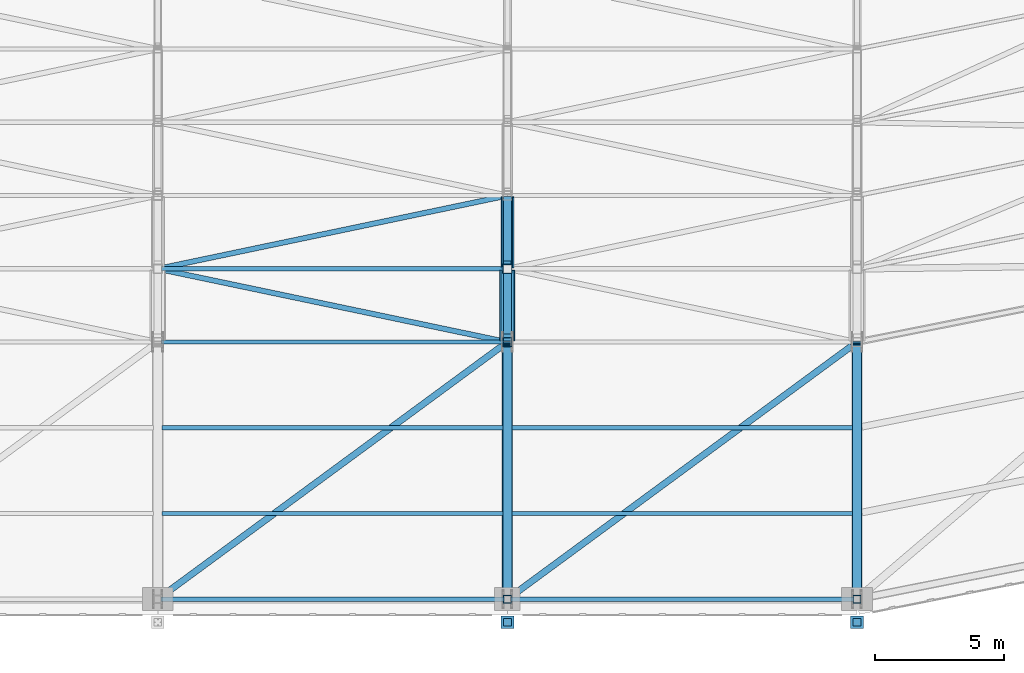
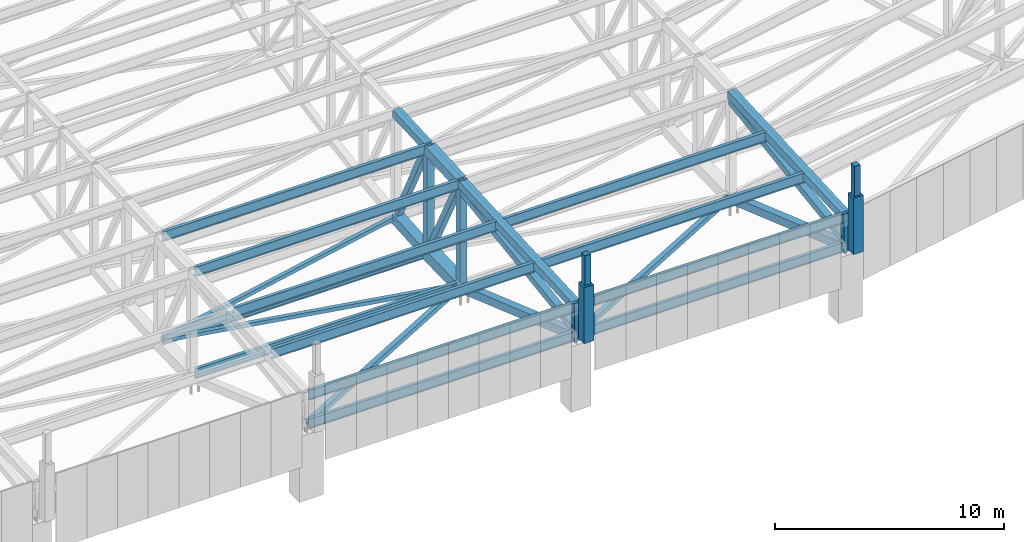
# One storey, part 21 of 278: 24 members, 12 beams.
"""IFC4 building model written with IfcOpenShell, lengths in metres."""

import ifcopenshell
import ifcopenshell.guid

model = None  # the IFC model being written
_history = None  # IfcOwnerHistory: only IFC2X3 demands one
_inside = {}  # id of a spatial element -> (the spatial element, [elements in it])
_under = {}  # id of a project, library or spatial element -> (it, [spatial elements below it])
_declared = {}  # id of a project -> (the project, [libraries it declares])
_typed = {}  # id of a type object -> (the type object, [elements of that type])
_made_of = {}  # id of a material, layer set ... -> (it, [elements and type objects made of it])


def new_model(schema):
    """Start an empty IFC model of exactly this schema.

    Asked for "IFC4X3", IfcOpenShell would pick the latest addendum, in which some entities
    have other attributes; the version numbers below select the first issue.
    IFC2X3 requires an IfcOwnerHistory on every rooted entity: one is made here for all.
    """
    global model, _history
    if schema == "IFC4X3":
        model = ifcopenshell.file(schema_version=(4, 3, 0, 0))
    else:
        model = ifcopenshell.file(schema=schema)
    _inside.clear()
    _under.clear()
    _declared.clear()
    _typed.clear()
    _made_of.clear()
    _history = None
    if model.schema == "IFC2X3":
        org = make("IfcOrganization", Name="unknown")
        user = make(
            "IfcPersonAndOrganization",
            ThePerson=make("IfcPerson", FamilyName="unknown"),
            TheOrganization=org,
        )
        app = make(
            "IfcApplication",
            ApplicationDeveloper=org,
            Version="unknown",
            ApplicationFullName="unknown",
            ApplicationIdentifier="unknown",
        )
        _history = make(
            "IfcOwnerHistory",
            OwningUser=user,
            OwningApplication=app,
            ChangeAction="ADDED",
            CreationDate=0,
        )
    return model


def make(cls, **values):
    """One entity of the class cls with the attributes given. An attribute that is None is left unset."""
    return model.create_entity(
        cls, **{name: value for name, value in values.items() if value is not None}
    )


def rooted(cls, **values):
    """An entity with a GlobalId (a new one), such as an element, a storey or a relation."""
    return make(cls, GlobalId=ifcopenshell.guid.new(), OwnerHistory=_history, **values)


def si_unit(unit_type, name, prefix=None):
    """IfcSIUnit, for example si_unit("LENGTHUNIT", "METRE", prefix="MILLI")."""
    return make("IfcSIUnit", UnitType=unit_type, Prefix=prefix, Name=name)


def assignment(units):
    """IfcUnitAssignment: the units of a project."""
    return None if units is None else make("IfcUnitAssignment", Units=units)


def point(xyz):
    """IfcCartesianPoint."""
    return None if xyz is None else make("IfcCartesianPoint", Coordinates=xyz)


def direction(xyz):
    """IfcDirection."""
    return None if xyz is None else make("IfcDirection", DirectionRatios=xyz)


def frame(location, z_axis=None, x_axis=None):
    """IfcAxis2Placement3D, a coordinate frame: its origin and axes. An axis left out is left unset."""
    return make(
        "IfcAxis2Placement3D",
        Location=point(location),
        Axis=direction(z_axis),
        RefDirection=direction(x_axis),
    )


def frame_2d(location, x_axis=None):
    """IfcAxis2Placement2D, a coordinate frame in the plane: its origin and x axis."""
    return make(
        "IfcAxis2Placement2D", Location=point(location), RefDirection=direction(x_axis)
    )


def origin():
    """The frame at (0, 0, 0) with its axes left unset."""
    return frame((0.0, 0.0, 0.0))


def origin_2d():
    """The frame at (0, 0) in the plane with its x axis left unset."""
    return frame_2d((0.0, 0.0))


def place(relative_to, where):
    """IfcLocalPlacement: puts the frame where relative to a parent placement (None: the world)."""
    return make(
        "IfcLocalPlacement", PlacementRelTo=relative_to, RelativePlacement=where
    )


def context(
    kind, dimensions, precision=None, world=None, true_north=None, identifier=None
):
    """IfcGeometricRepresentationContext, for example the 3D "Model" context."""
    return make(
        "IfcGeometricRepresentationContext",
        ContextIdentifier=identifier,
        ContextType=kind,
        CoordinateSpaceDimension=dimensions,
        Precision=precision,
        WorldCoordinateSystem=world,
        TrueNorth=true_north,
    )


def subcontext(parent, identifier, kind, view, scale=None):
    """IfcGeometricRepresentationSubContext, for example "Body" below "Model"."""
    return make(
        "IfcGeometricRepresentationSubContext",
        ContextIdentifier=identifier,
        ContextType=kind,
        ParentContext=parent,
        TargetScale=scale,
        TargetView=view,
    )


def project(units=None, contexts=None):
    """IfcProject with its units and contexts."""
    return rooted(
        "IfcProject",
        Name="project",
        RepresentationContexts=contexts,
        UnitsInContext=assignment(units),
    )


def spatial(cls, under=None, at=None, **own):
    """A site, building, storey or space (cls), placed at a placement, below another one or the project."""
    s = rooted(cls, ObjectPlacement=at, **own)
    if under is not None:
        _under.setdefault(under.id(), (under, []))[1].append(s)
    return s


def profile(cls, at=None, kind="AREA", **sizes):
    """A parametric profile (cls). Its sizes go by their IFC names, for example OverallWidth=200.0."""
    return make(cls, ProfileType=kind, Position=at, **sizes)


def rectangle(**sizes):
    """IfcRectangleProfileDef."""
    return profile("IfcRectangleProfileDef", **sizes)


def hollow_rectangle(**sizes):
    """IfcRectangleHollowProfileDef."""
    return profile("IfcRectangleHollowProfileDef", **sizes)


def i_section(**sizes):
    """IfcIShapeProfileDef."""
    return profile("IfcIShapeProfileDef", **sizes)


def extrude(swept, where, along, depth):
    """IfcExtrudedAreaSolid: the profile swept, set in the frame where, extruded along a direction by depth."""
    return make(
        "IfcExtrudedAreaSolid",
        SweptArea=swept,
        Position=where,
        ExtrudedDirection=direction(along),
        Depth=depth,
    )


def shape(context_of_items, identifier, shape_type, items):
    """IfcShapeRepresentation: the items that make up one representation, for example the "Body"."""
    return make(
        "IfcShapeRepresentation",
        ContextOfItems=context_of_items,
        RepresentationIdentifier=identifier,
        RepresentationType=shape_type,
        Items=items,
    )


def material(Name=None, Category=None):
    """IfcMaterial."""
    return make("IfcMaterial", Name=Name, Category=Category)


def material_profile(
    of_material, cross_section, Name=None, Category=None, Priority=None
):
    """IfcMaterialProfile: a cross section and its material."""
    return make(
        "IfcMaterialProfile",
        Name=Name,
        Material=of_material,
        Profile=cross_section,
        Priority=Priority,
        Category=Category,
    )


def profile_set(profiles, Name=None, composite=None):
    """IfcMaterialProfileSet."""
    return make(
        "IfcMaterialProfileSet",
        Name=Name,
        MaterialProfiles=profiles,
        CompositeProfile=composite,
    )


def made_of(thing, what):
    """Note that an element or type object is made of a material, layer set ...; save() writes the relation."""
    if what is not None:
        _made_of.setdefault(what.id(), (what, []))[1].append(thing)
    return thing


def type_object(cls, material=None, **own):
    """A type object (cls), such as IfcWallType, which elements share."""
    return made_of(rooted(cls, **own), material)


def element(
    cls,
    number,
    at=None,
    inside=None,
    cuts=None,
    type_object=None,
    material=None,
    context=None,
    identifier="Body",
    shape_type=None,
    held_by="IfcProductDefinitionShape",
    body=None,
    shapes=None,
    **own,
):
    """One element of the class cls, such as IfcWall. Its Tag is "e" and its number.

    at: its placement. inside: the storey or other place that contains it. cuts: it is an
    opening in that element (IfcRelVoidsElement). A single representation is given by context,
    identifier, shape_type and body (its items); several are given by shapes. held_by: the class
    of the entity that holds the representations. save() writes the other relations.
    """
    e = rooted(cls, Tag="e%d" % number, ObjectPlacement=at, **own)
    if body is not None:
        shapes = [shape(context, identifier, shape_type, body)]
    if shapes is not None:
        e.Representation = make(held_by, Representations=shapes)
    if inside is not None:
        _inside.setdefault(inside.id(), (inside, []))[1].append(e)
    if cuts is not None:
        rooted(
            "IfcRelVoidsElement", RelatingBuildingElement=cuts, RelatedOpeningElement=e
        )
    if type_object is not None:
        _typed.setdefault(type_object.id(), (type_object, []))[1].append(e)
    return made_of(e, material)


def aggregate(whole, parts):
    """IfcRelAggregates: a whole, such as a stair, and the parts it consists of."""
    return rooted("IfcRelAggregates", RelatingObject=whole, RelatedObjects=parts)


def save(model, path):
    """Write the relations noted so far, then the file.

    IfcRelAggregates (storeys below a building ...), IfcRelContainedInSpatialStructure (elements
    in a storey), IfcRelDefinesByType, IfcRelAssociatesMaterial and IfcRelDeclares: one each for
    every whole, place, type object, material and project.
    """
    for whole, parts in _under.values():
        aggregate(whole, parts)
    for where, things in _inside.values():
        rooted(
            "IfcRelContainedInSpatialStructure",
            RelatedElements=things,
            RelatingStructure=where,
        )
    for kind, things in _typed.values():
        rooted("IfcRelDefinesByType", RelatedObjects=things, RelatingType=kind)
    for what, things in _made_of.values():
        rooted("IfcRelAssociatesMaterial", RelatedObjects=things, RelatingMaterial=what)
    for by, libraries in _declared.values():
        rooted("IfcRelDeclares", RelatingContext=by, RelatedDefinitions=libraries)
    model.write(path)


model = new_model("IFC4")

# Units and contexts
model_context = context("Model", 3, precision=1e-05, world=origin(), true_north=direction((0.0, 1.0)))
body_context = subcontext(model_context, "Body", "Model", "MODEL_VIEW")
ifc_project = project(units=[si_unit("LENGTHUNIT", "METRE"), si_unit("AREAUNIT", "SQUARE_METRE"), si_unit("VOLUMEUNIT", "CUBIC_METRE"), si_unit("PLANEANGLEUNIT", "RADIAN"), si_unit("MASSUNIT", "GRAM", prefix="KILO")], contexts=[model_context])

# Site, building, storey
site_placement = place(None, origin())
site = spatial("IfcSite", under=ifc_project, at=site_placement, CompositionType="ELEMENT")
building_placement = place(site_placement, origin())
building = spatial("IfcBuilding", under=site, at=building_placement, Name="Ogive Plaza Stadium", CompositionType="ELEMENT")
storey_placement = place(building_placement, frame((0.0, 0.0, 29.0)))
storey = spatial("IfcBuildingStorey", under=building, at=storey_placement, Name="Roof", CompositionType="ELEMENT", Elevation=29.0)

# Members
ifc_material_1 = material(Name="Concrete C45/55 precast", Category="concrete")
ifc_material_profile_1 = material_profile(ifc_material_1, rectangle(XDim=0.5, YDim=0.5, at=origin_2d()), Name="RC 500x500")
ifc_profile_set_1 = profile_set([ifc_material_profile_1], Name="Concrete C45/55 precast")
member_type_1 = type_object("IfcMemberType", Name="Precast pinnacle 500x500", PredefinedType="POST", material=ifc_profile_set_1)
for number, where, z_axis, x_axis, name in (
    (1, (34.0, -103.39990234375, 4.0), (0.0, 0.0, 1.0), (1.0, 0.0, 0.0), "PINNACLE R12"),
    (2, (20.39990234375, -103.39990234375, 4.0), (0.0, 0.0, 1.0), (1.0, 0.0, 0.0), "PINNACLE R13"),
):
    element("IfcMember", number, at=place(storey_placement, frame(where, z_axis=z_axis, x_axis=x_axis)), inside=storey, type_object=member_type_1, Name=name, PredefinedType="POST", context=body_context, shape_type="SweptSolid", body=[
        extrude(rectangle(XDim=0.5, YDim=0.5, at=origin_2d()), origin(), (0.0, 0.0, 1.0), 3.0),
    ])
ifc_material_2 = material(Name="Concrete C45/55 precast", Category="concrete")
ifc_material_profile_2 = material_profile(ifc_material_2, rectangle(XDim=0.300048828125, YDim=0.300048828125, at=origin_2d()), Name="RC 300x300")
ifc_profile_set_2 = profile_set([ifc_material_profile_2], Name="Concrete C45/55 precast")
member_type_2 = type_object("IfcMemberType", Name="Precast spire 300x300", PredefinedType="MEMBER", material=ifc_profile_set_2)
for number, where, z_axis, x_axis, name in (
    (3, (34.0, -103.39990234375, 7.0), (0.0, 0.0, 1.0), (1.0, 0.0, 0.0), "SPIRE R12"),
    (4, (20.39990234375, -103.39990234375, 7.0), (0.0, 0.0, 1.0), (1.0, 0.0, 0.0), "SPIRE R13"),
):
    element("IfcMember", number, at=place(storey_placement, frame(where, z_axis=z_axis, x_axis=x_axis)), inside=storey, type_object=member_type_2, Name=name, PredefinedType="MEMBER", context=body_context, shape_type="SweptSolid", body=[
        extrude(rectangle(XDim=0.300048828125, YDim=0.300048828125, at=origin_2d()), origin(), (0.0, 0.0, 1.0), 1.60009765625),
    ])
ifc_material_3 = material(Name="Steel ASTM A500 Grade C", Category="steel")
ifc_material_profile_3 = material_profile(ifc_material_3, hollow_rectangle(XDim=0.25390625, YDim=0.25390625, WallThickness=0.0087890625, at=origin_2d()), Name="HSS10X10X3/8")
ifc_profile_set_3 = profile_set([ifc_material_profile_3], Name="Steel ASTM A500 Grade C")
member_type_3 = type_object("IfcMemberType", Name="Roof plan brace HSS10X10X3/8", PredefinedType="BRACE", material=ifc_profile_set_3)
for number, where, z_axis, x_axis, name in (
    (5, (33.771240234375, -92.668212890625, 0.362060546875), (-0.789806515967, -0.580738793181, 0.197352784197), (0.592389594991, -0.805651641683, 0.0), "ROOF BRACE B12 11"),
    (6, (20.171142578125, -92.668212890625, 0.362060546875), (-0.789806515967, -0.580738793181, 0.197352784197), (0.592389594991, -0.805651641683, 0.0), "ROOF BRACE B13 11"),
):
    element("IfcMember", number, at=place(storey_placement, frame(where, z_axis=z_axis, x_axis=x_axis)), inside=storey, type_object=member_type_3, Name=name, PredefinedType="BRACE", context=body_context, shape_type="SweptSolid", body=[
        extrude(hollow_rectangle(XDim=0.25390625, YDim=0.25390625, WallThickness=0.0087890625, at=origin_2d()), origin(), (0.0, 0.0, 1.0), 16.672119140625),
    ])
ifc_material_4 = material(Name="Steel ASTM A500 Grade C", Category="steel")
ifc_material_profile_4 = material_profile(ifc_material_4, hollow_rectangle(XDim=0.203125, YDim=0.203125, WallThickness=0.0087890625, at=origin_2d()), Name="HSS8X8X3/8")
ifc_profile_set_4 = profile_set([ifc_material_profile_4], Name="Steel ASTM A500 Grade C")
member_type_4 = type_object("IfcMemberType", Name="Roof plan brace HSS8X8X3/8", PredefinedType="BRACE", material=ifc_profile_set_4)
member_1_placement = place(storey_placement, frame((20.230712890625, -86.83544921875, 0.50927734375), z_axis=(-0.9786892756, -0.205092509512, -0.010215887981), x_axis=(0.205103212524, -0.978740349742, 0.0)))
element("IfcMember", 7, at=member_1_placement, inside=storey, type_object=member_type_4, Name="ROOF BRACE B13 9", PredefinedType="BRACE", context=body_context, shape_type="SweptSolid", body=[
    extrude(hollow_rectangle(XDim=0.203125, YDim=0.203125, WallThickness=0.0087890625, at=origin_2d()), origin(), (0.0, 0.0, 1.0), 13.55029296875),
])
member_2_placement = place(storey_placement, frame((6.96923828125, -89.685546875, 0.3681640625), z_axis=(0.978729937555, -0.205101030564, -0.004612656051), x_axis=(0.205103212524, 0.978740349742, 0.0)))
element("IfcMember", 8, at=member_2_placement, inside=storey, type_object=member_type_4, Name="ROOF BRACE B13 10", PredefinedType="BRACE", context=body_context, shape_type="SweptSolid", body=[
    extrude(hollow_rectangle(XDim=0.203125, YDim=0.203125, WallThickness=0.0087890625, at=origin_2d()), origin(), (0.0, 0.0, 1.0), 13.549560546875),
])
ifc_material_5 = material(Name="Steel ASTM A992 Grade 50", Category="steel")
ifc_material_profile_5 = material_profile(ifc_material_5, i_section(OverallWidth=0.1650390625, OverallDepth=0.524658203125, WebThickness=0.0087890625, FlangeThickness=0.011474609375, at=origin_2d()), Name="W21X44")
ifc_profile_set_5 = profile_set([ifc_material_profile_5], Name="Steel ASTM A992 Grade 50")
member_type_5 = type_object("IfcMemberType", Name="Roof plan strut W21X44", PredefinedType="STRUT", material=ifc_profile_set_5)
member_3_placement = place(storey_placement, frame((33.877685546875, -102.5, 3.703125), z_axis=(-1.0, 0.0, 0.0), x_axis=(0.0, -1.0, 0.0)))
element("IfcMember", 9, at=member_3_placement, inside=storey, type_object=member_type_5, Name="ROOF STRUT B12 11", PredefinedType="STRUT", context=body_context, shape_type="SweptSolid", body=[
    extrude(i_section(OverallWidth=0.1650390625, OverallDepth=0.524658203125, WebThickness=0.0087890625, FlangeThickness=0.011474609375, at=origin_2d()), origin(), (0.0, 0.0, 1.0), 13.355224609375),
])
for number, where, z_axis, x_axis, name in (
    (10, (20.252197265625, -89.64990234375, 0.369140625), (-1.0, 0.0, 0.0), (0.0, -1.0, 0.0), "ROOF STRUT B13 9"),
    (11, (20.252197265625, -92.5, 0.3046875), (-1.0, 0.0, 0.0), (0.0, -1.0, 0.0), "ROOF STRUT B13 10"),
):
    element("IfcMember", number, at=place(storey_placement, frame(where, z_axis=z_axis, x_axis=x_axis)), inside=storey, type_object=member_type_5, Name=name, PredefinedType="STRUT", context=body_context, shape_type="SweptSolid", body=[
        extrude(i_section(OverallWidth=0.1650390625, OverallDepth=0.524658203125, WebThickness=0.0087890625, FlangeThickness=0.011474609375, at=origin_2d()), origin(), (0.0, 0.0, 1.0), 13.304443359375),
    ])
member_4_placement = place(storey_placement, frame((20.277587890625, -102.5, 3.703125), z_axis=(-1.0, 0.0, 0.0), x_axis=(0.0, -1.0, 0.0)))
element("IfcMember", 12, at=member_4_placement, inside=storey, type_object=member_type_5, Name="ROOF STRUT B13 11", PredefinedType="STRUT", context=body_context, shape_type="SweptSolid", body=[
    extrude(i_section(OverallWidth=0.1650390625, OverallDepth=0.524658203125, WebThickness=0.0087890625, FlangeThickness=0.011474609375, at=origin_2d()), origin(), (0.0, 0.0, 1.0), 13.355224609375),
])
ifc_material_6 = material(Name="Steel ASTM A992 Grade 50", Category="steel")
ifc_material_profile_6 = material_profile(ifc_material_6, i_section(OverallWidth=0.1650390625, OverallDepth=0.524658203125, WebThickness=0.0087890625, FlangeThickness=0.011474609375, at=origin_2d()), Name="W21X44")
ifc_profile_set_6 = profile_set([ifc_material_profile_6], Name="Steel ASTM A992 Grade 50")
member_type_6 = type_object("IfcMemberType", Name="Roof purlin W21X44", PredefinedType="PURLIN", material=ifc_profile_set_6)
for number, where, z_axis, x_axis, name in (
    (13, (33.826904296875, -95.833251953125, 5.571044921875), (-1.0, 0.0, 0.0), (0.0, -1.0, 0.0), "ROOF PURLIN B12 11"),
    (14, (33.826904296875, -99.166748046875, 5.404296875), (-1.0, 0.0, 0.0), (0.0, -1.0, 0.0), "ROOF PURLIN B12 12"),
):
    element("IfcMember", number, at=place(storey_placement, frame(where, z_axis=z_axis, x_axis=x_axis)), inside=storey, type_object=member_type_6, Name=name, PredefinedType="PURLIN", context=body_context, shape_type="SweptSolid", body=[
        extrude(i_section(OverallWidth=0.1650390625, OverallDepth=0.524658203125, WebThickness=0.0087890625, FlangeThickness=0.011474609375, at=origin_2d()), origin(), (0.0, 0.0, 1.0), 13.253662109375),
    ])
member_5_placement = place(storey_placement, frame((33.877685546875, -102.5, 5.237548828125), z_axis=(-1.0, 0.0, 0.0), x_axis=(0.0, -1.0, 0.0)))
element("IfcMember", 15, at=member_5_placement, inside=storey, type_object=member_type_6, Name="ROOF PURLIN B12 13", PredefinedType="PURLIN", context=body_context, shape_type="SweptSolid", body=[
    extrude(i_section(OverallWidth=0.1650390625, OverallDepth=0.524658203125, WebThickness=0.0087890625, FlangeThickness=0.011474609375, at=origin_2d()), origin(), (0.0, 0.0, 1.0), 13.355224609375),
])
for number, where, z_axis, x_axis, name in (
    (16, (20.252197265625, -89.64990234375, 5.880126953125), (-1.0, 0.0, 0.0), (0.0, -1.0, 0.0), "ROOF PURLIN B13 9"),
    (17, (20.252197265625, -92.5, 5.737548828125), (-1.0, 0.0, 0.0), (0.0, -1.0, 0.0), "ROOF PURLIN B13 10"),
):
    element("IfcMember", number, at=place(storey_placement, frame(where, z_axis=z_axis, x_axis=x_axis)), inside=storey, type_object=member_type_6, Name=name, PredefinedType="PURLIN", context=body_context, shape_type="SweptSolid", body=[
        extrude(i_section(OverallWidth=0.1650390625, OverallDepth=0.524658203125, WebThickness=0.0087890625, FlangeThickness=0.011474609375, at=origin_2d()), origin(), (0.0, 0.0, 1.0), 13.304443359375),
    ])
for number, where, z_axis, x_axis, name in (
    (18, (20.226806640625, -95.833251953125, 5.571044921875), (-1.0, 0.0, 0.0), (0.0, -1.0, 0.0), "ROOF PURLIN B13 11"),
    (19, (20.226806640625, -99.166748046875, 5.404296875), (-1.0, 0.0, 0.0), (0.0, -1.0, 0.0), "ROOF PURLIN B13 12"),
):
    element("IfcMember", number, at=place(storey_placement, frame(where, z_axis=z_axis, x_axis=x_axis)), inside=storey, type_object=member_type_6, Name=name, PredefinedType="PURLIN", context=body_context, shape_type="SweptSolid", body=[
        extrude(i_section(OverallWidth=0.1650390625, OverallDepth=0.524658203125, WebThickness=0.0087890625, FlangeThickness=0.011474609375, at=origin_2d()), origin(), (0.0, 0.0, 1.0), 13.253662109375),
    ])
member_6_placement = place(storey_placement, frame((20.277587890625, -102.5, 5.237548828125), z_axis=(-1.0, 0.0, 0.0), x_axis=(0.0, -1.0, 0.0)))
element("IfcMember", 20, at=member_6_placement, inside=storey, type_object=member_type_6, Name="ROOF PURLIN B13 13", PredefinedType="PURLIN", context=body_context, shape_type="SweptSolid", body=[
    extrude(i_section(OverallWidth=0.1650390625, OverallDepth=0.524658203125, WebThickness=0.0087890625, FlangeThickness=0.011474609375, at=origin_2d()), origin(), (0.0, 0.0, 1.0), 13.355224609375),
])

# Beams
ifc_material_7 = material(Name="Steel ASTM A500 Grade C", Category="steel")
ifc_material_profile_7 = material_profile(ifc_material_7, hollow_rectangle(XDim=0.406494140625, YDim=0.406494140625, WallThickness=0.0146484375, at=origin_2d()), Name="HSS16X16X5/8")
ifc_profile_set_7 = profile_set([ifc_material_profile_7], Name="Steel ASTM A500 Grade C")
beam_type_1 = type_object("IfcBeamType", Name="Roof truss back-span bottom chord HSS16X16X5/8", PredefinedType="BEAM", material=ifc_profile_set_7)
for number, where, z_axis, x_axis, name in (
    (21, (34.0, -92.550048828125, 0.232666015625), (0.0, -0.943851085966, 0.330371196567), (1.0, 0.0, 0.0), "ROOF TRUSS T12 BOTTOM CHORD 11"),
    (22, (20.39990234375, -92.550048828125, 0.232666015625), (0.0, -0.943851085966, 0.330371196567), (1.0, 0.0, 0.0), "ROOF TRUSS T13 BOTTOM CHORD 11"),
):
    element("IfcBeam", number, at=place(storey_placement, frame(where, z_axis=z_axis, x_axis=x_axis)), inside=storey, type_object=beam_type_1, Name=name, PredefinedType="BEAM", context=body_context, shape_type="SweptSolid", body=[
        extrude(hollow_rectangle(XDim=0.406494140625, YDim=0.406494140625, WallThickness=0.0146484375, at=origin_2d()), origin(), (0.0, 0.0, 1.0), 10.470703125),
    ])
ifc_material_8 = material(Name="Steel ASTM A500 Grade C", Category="steel")
ifc_material_profile_8 = material_profile(ifc_material_8, hollow_rectangle(XDim=0.406494140625, YDim=0.406494140625, WallThickness=0.0146484375, at=origin_2d()), Name="HSS16X16X5/8")
ifc_profile_set_8 = profile_set([ifc_material_profile_8], Name="Steel ASTM A500 Grade C")
beam_type_2 = type_object("IfcBeamType", Name="Roof truss back-span top chord HSS16X16X5/8", PredefinedType="BEAM", material=ifc_profile_set_8)
for number, where, z_axis, x_axis, name in (
    (23, (34.0, -92.550048828125, 5.7939453125), (0.0, -0.998752953021, -0.049925332571), (1.0, 0.0, 0.0), "ROOF TRUSS T12 TOP CHORD 11"),
    (24, (20.39990234375, -92.550048828125, 5.7939453125), (0.0, -0.998752953021, -0.049925332571), (1.0, 0.0, 0.0), "ROOF TRUSS T13 TOP CHORD 11"),
):
    element("IfcBeam", number, at=place(storey_placement, frame(where, z_axis=z_axis, x_axis=x_axis)), inside=storey, type_object=beam_type_2, Name=name, PredefinedType="BEAM", context=body_context, shape_type="SweptSolid", body=[
        extrude(hollow_rectangle(XDim=0.406494140625, YDim=0.406494140625, WallThickness=0.0146484375, at=origin_2d()), origin(), (0.0, 0.0, 1.0), 9.912353515625),
    ])

# Members
ifc_material_9 = material(Name="Steel ASTM A500 Grade C", Category="steel")
ifc_material_profile_9 = material_profile(ifc_material_9, hollow_rectangle(XDim=0.355712890625, YDim=0.355712890625, WallThickness=0.0146484375, at=origin_2d()), Name="HSS14X14X5/8")
ifc_profile_set_9 = profile_set([ifc_material_profile_9], Name="Steel ASTM A500 Grade C")
member_type_7 = type_object("IfcMemberType", Name="Roof truss back-stay HSS14X14X5/8", PredefinedType="BRACE", material=ifc_profile_set_9)
for number, where, z_axis, x_axis, name in (
    (25, (34.0, -92.593017578125, 5.45654296875), (0.0, -0.989844100519, -0.142157154826), (1.0, 0.0, 0.0), "BACK-STAY T12"),
    (26, (20.39990234375, -92.593017578125, 5.45654296875), (0.0, -0.989844100519, -0.142157154826), (1.0, 0.0, 0.0), "BACK-STAY T13"),
):
    element("IfcMember", number, at=place(storey_placement, frame(where, z_axis=z_axis, x_axis=x_axis)), inside=storey, type_object=member_type_7, Name=name, PredefinedType="BRACE", context=body_context, shape_type="SweptSolid", body=[
        extrude(hollow_rectangle(XDim=0.355712890625, YDim=0.355712890625, WallThickness=0.0146484375, at=origin_2d()), origin(), (0.0, 0.0, 1.0), 9.9404296875),
    ])

# Beams
ifc_material_10 = material(Name="Steel ASTM A500 Grade C", Category="steel")
ifc_material_profile_10 = material_profile(ifc_material_10, hollow_rectangle(XDim=0.508056640625, YDim=0.508056640625, WallThickness=0.0146484375, at=origin_2d()), Name="HSS20X20X5/8")
ifc_profile_set_10 = profile_set([ifc_material_profile_10], Name="Steel ASTM A500 Grade C")
beam_type_3 = type_object("IfcBeamType", Name="Roof truss bottom chord HSS20X20X5/8", PredefinedType="BEAM", material=ifc_profile_set_10)
beam_1_placement = place(storey_placement, frame((20.39990234375, -86.85009765625, 0.50830078125), z_axis=(0.0, -0.997719620387, -0.06749488199), x_axis=(1.0, 0.0, 0.0)))
element("IfcBeam", 27, at=beam_1_placement, inside=storey, type_object=beam_type_3, Name="ROOF TRUSS T13 BOTTOM CHORD 9", PredefinedType="BEAM", context=body_context, shape_type="SweptSolid", body=[
    extrude(hollow_rectangle(XDim=0.508056640625, YDim=0.508056640625, WallThickness=0.0146484375, at=origin_2d()), origin(), (0.0, 0.0, 1.0), 2.75634765625),
])
ifc_material_11 = material(Name="Steel ASTM A500 Grade C", Category="steel")
ifc_material_profile_11 = material_profile(ifc_material_11, hollow_rectangle(XDim=0.609619140625, YDim=0.609619140625, WallThickness=0.0146484375, at=origin_2d()), Name="HSS24X24X5/8")
ifc_profile_set_11 = profile_set([ifc_material_profile_11], Name="Steel ASTM A500 Grade C")
beam_type_4 = type_object("IfcBeamType", Name="Roof truss bottom chord HSS24X24X5/8", PredefinedType="BEAM", material=ifc_profile_set_11)
beam_2_placement = place(storey_placement, frame((20.39990234375, -89.699951171875, 0.367919921875), z_axis=(0.0, -0.999745852076, -0.022543984946), x_axis=(1.0, 0.0, 0.0)))
element("IfcBeam", 28, at=beam_2_placement, inside=storey, type_object=beam_type_4, Name="ROOF TRUSS T13 BOTTOM CHORD 10", PredefinedType="BEAM", context=body_context, shape_type="SweptSolid", body=[
    extrude(hollow_rectangle(XDim=0.609619140625, YDim=0.609619140625, WallThickness=0.0146484375, at=origin_2d()), origin(), (0.0, 0.0, 1.0), 2.750732421875),
])

# Members
ifc_material_12 = material(Name="Steel ASTM A500 Grade C", Category="steel")
ifc_material_profile_12 = material_profile(ifc_material_12, hollow_rectangle(XDim=0.3046875, YDim=0.3046875, WallThickness=0.0087890625, at=origin_2d()), Name="HSS12X12X3/8")
ifc_profile_set_12 = profile_set([ifc_material_profile_12], Name="Steel ASTM A500 Grade C")
member_type_8 = type_object("IfcMemberType", Name="Roof truss diagonal HSS12X12X3/8", PredefinedType="BRACE", material=ifc_profile_set_12)
member_7_placement = place(storey_placement, frame((20.39990234375, -86.977783203125, 0.764892578125), z_axis=(0.0, -0.448477330766, 0.893794206621), x_axis=(1.0, 0.0, 0.0)))
element("IfcMember", 29, at=member_7_placement, inside=storey, type_object=member_type_8, Name="ROOF TRUSS T13 DIAGONAL 9", PredefinedType="BRACE", context=body_context, shape_type="SweptSolid", body=[
    extrude(hollow_rectangle(XDim=0.3046875, YDim=0.3046875, WallThickness=0.0087890625, at=origin_2d()), origin(), (0.0, 0.0, 1.0), 5.56201171875),
])
member_8_placement = place(storey_placement, frame((20.39990234375, -89.827880859375, 0.673828125), z_axis=(0.0, -0.459750963822, 0.888047887934), x_axis=(1.0, 0.0, 0.0)))
element("IfcMember", 30, at=member_8_placement, inside=storey, type_object=member_type_8, Name="ROOF TRUSS T13 DIAGONAL 10", PredefinedType="BRACE", context=body_context, shape_type="SweptSolid", body=[
    extrude(hollow_rectangle(XDim=0.3046875, YDim=0.3046875, WallThickness=0.0087890625, at=origin_2d()), origin(), (0.0, 0.0, 1.0), 5.425537109375),
])

# Beams
ifc_material_13 = material(Name="Steel ASTM A500 Grade C", Category="steel")
ifc_material_profile_13 = material_profile(ifc_material_13, hollow_rectangle(XDim=0.3046875, YDim=0.3046875, WallThickness=0.01171875, at=origin_2d()), Name="HSS12X12X1/2")
ifc_profile_set_13 = profile_set([ifc_material_profile_13], Name="Steel ASTM A500 Grade C")
beam_type_5 = type_object("IfcBeamType", Name="Roof truss post HSS12X12X1/2", PredefinedType="BEAM", material=ifc_profile_set_13)
for number, where, z_axis, x_axis, name in (
    (31, (34.0, -102.5, 3.43994140625), (0.0, 0.0, 1.0), (1.0, 0.0, 0.0), "ROOF TRUSS T12 POST 12"),
    (32, (20.39990234375, -102.5, 3.43994140625), (0.0, 0.0, 1.0), (1.0, 0.0, 0.0), "ROOF TRUSS T13 POST 12"),
):
    element("IfcBeam", number, at=place(storey_placement, frame(where, z_axis=z_axis, x_axis=x_axis)), inside=storey, type_object=beam_type_5, Name=name, PredefinedType="BEAM", context=body_context, shape_type="SweptSolid", body=[
        extrude(hollow_rectangle(XDim=0.3046875, YDim=0.3046875, WallThickness=0.01171875, at=origin_2d()), origin(), (0.0, 0.0, 1.0), 2.06005859375),
    ])
ifc_material_14 = material(Name="Steel ASTM A500 Grade C", Category="steel")
ifc_material_profile_14 = material_profile(ifc_material_14, hollow_rectangle(XDim=0.355712890625, YDim=0.355712890625, WallThickness=0.0146484375, at=origin_2d()), Name="HSS14X14X5/8")
ifc_profile_set_14 = profile_set([ifc_material_profile_14], Name="Steel ASTM A500 Grade C")
beam_type_6 = type_object("IfcBeamType", Name="Roof truss post HSS14X14X5/8", PredefinedType="BEAM", material=ifc_profile_set_14)
beam_3_placement = place(storey_placement, frame((20.39990234375, -89.64990234375, 0.064208984375), z_axis=(0.0, 0.0, 1.0), x_axis=(1.0, 0.0, 0.0)))
element("IfcBeam", 33, at=beam_3_placement, inside=storey, type_object=beam_type_6, Name="ROOF TRUSS T13 POST 10", PredefinedType="BEAM", context=body_context, shape_type="SweptSolid", body=[
    extrude(hollow_rectangle(XDim=0.355712890625, YDim=0.355712890625, WallThickness=0.0146484375, at=origin_2d()), origin(), (0.0, 0.0, 1.0), 6.078369140625),
])
beam_4_placement = place(storey_placement, frame((20.39990234375, -92.5, -0.06005859375), z_axis=(0.0, 0.0, 1.0), x_axis=(1.0, 0.0, 0.0)))
element("IfcBeam", 34, at=beam_4_placement, inside=storey, type_object=beam_type_6, Name="ROOF TRUSS T13 POST 11", PredefinedType="BEAM", context=body_context, shape_type="SweptSolid", body=[
    extrude(hollow_rectangle(XDim=0.355712890625, YDim=0.355712890625, WallThickness=0.0146484375, at=origin_2d()), origin(), (0.0, 0.0, 1.0), 6.06005859375),
])
ifc_material_15 = material(Name="Steel ASTM A500 Grade C", Category="steel")
ifc_material_profile_15 = material_profile(ifc_material_15, hollow_rectangle(XDim=0.406494140625, YDim=0.406494140625, WallThickness=0.01171875, at=origin_2d()), Name="HSS16X16X1/2")
ifc_profile_set_15 = profile_set([ifc_material_profile_15], Name="Steel ASTM A500 Grade C")
beam_type_7 = type_object("IfcBeamType", Name="Roof truss top chord HSS16X16X1/2", PredefinedType="BEAM", material=ifc_profile_set_15)
beam_5_placement = place(storey_placement, frame((20.39990234375, -86.85009765625, 6.0791015625), z_axis=(0.0, -0.998753223187, -0.049919927615), x_axis=(1.0, 0.0, 0.0)))
element("IfcBeam", 35, at=beam_5_placement, inside=storey, type_object=beam_type_7, Name="ROOF TRUSS T13 TOP CHORD 9", PredefinedType="BEAM", context=body_context, shape_type="SweptSolid", body=[
    extrude(hollow_rectangle(XDim=0.406494140625, YDim=0.406494140625, WallThickness=0.01171875, at=origin_2d()), origin(), (0.0, 0.0, 1.0), 2.75341796875),
])
ifc_material_16 = material(Name="Steel ASTM A500 Grade C", Category="steel")
ifc_material_profile_16 = material_profile(ifc_material_16, hollow_rectangle(XDim=0.508056640625, YDim=0.508056640625, WallThickness=0.0146484375, at=origin_2d()), Name="HSS20X20X5/8")
ifc_profile_set_16 = profile_set([ifc_material_profile_16], Name="Steel ASTM A500 Grade C")
beam_type_8 = type_object("IfcBeamType", Name="Roof truss top chord HSS20X20X5/8", PredefinedType="BEAM", material=ifc_profile_set_16)
beam_6_placement = place(storey_placement, frame((20.39990234375, -89.699951171875, 5.8857421875), z_axis=(0.0, -0.998753223187, -0.049919927615), x_axis=(1.0, 0.0, 0.0)))
element("IfcBeam", 36, at=beam_6_placement, inside=storey, type_object=beam_type_8, Name="ROOF TRUSS T13 TOP CHORD 10", PredefinedType="BEAM", context=body_context, shape_type="SweptSolid", body=[
    extrude(hollow_rectangle(XDim=0.508056640625, YDim=0.508056640625, WallThickness=0.0146484375, at=origin_2d()), origin(), (0.0, 0.0, 1.0), 2.75341796875),
])

save(model, "model.ifc")
